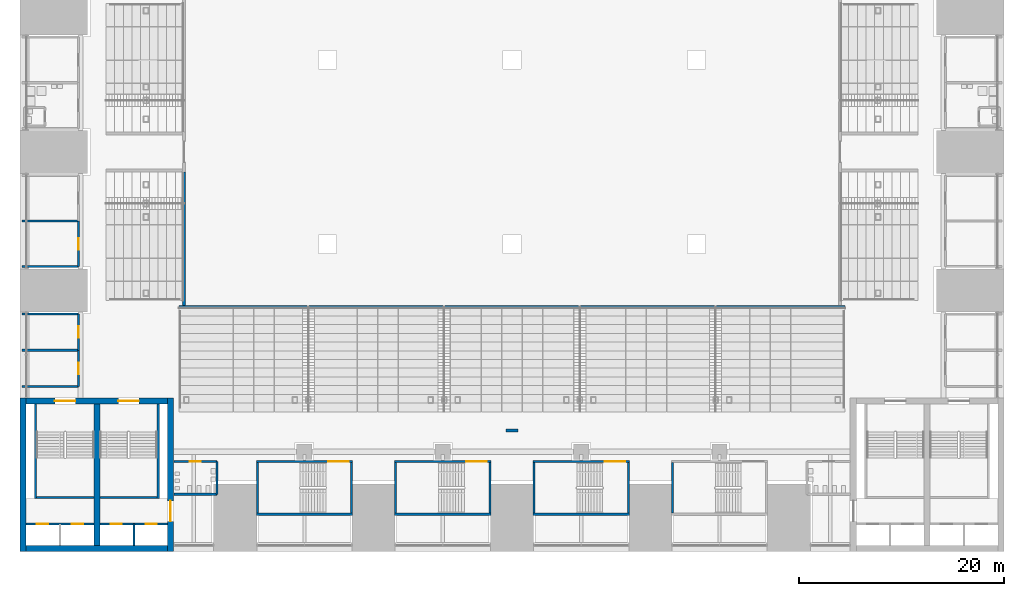
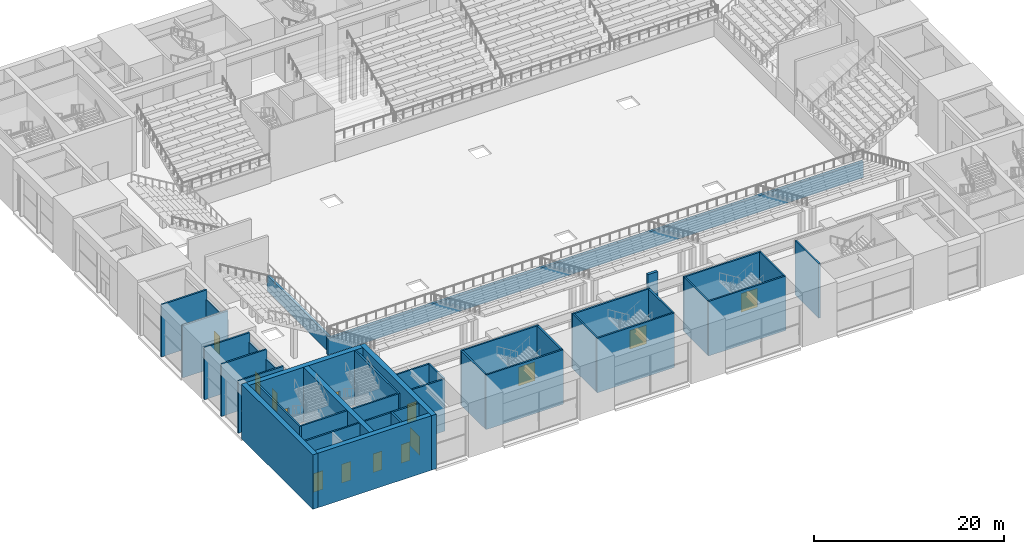
# One storey, part 35 of 62: 39 walls, 14 doors, 14 openings.
"""IFC4 building model written with IfcOpenShell, lengths in metres."""

from ifc_helpers import new_model, si_unit, direction, frame, frame_2d, origin, place, context, subcontext, project, spatial, rectangle, extrude, material, layer, layer_set, type_object, element, fill, save


model = new_model("IFC4")

# Units and contexts
model_context = context("Model", 3, precision=1e-05, world=origin(), true_north=direction((0.0, 1.0)))
body_context = subcontext(model_context, "Body", "Model", "MODEL_VIEW")
ifc_project = project(units=[si_unit("LENGTHUNIT", "METRE"), si_unit("AREAUNIT", "SQUARE_METRE"), si_unit("VOLUMEUNIT", "CUBIC_METRE"), si_unit("PLANEANGLEUNIT", "RADIAN"), si_unit("MASSUNIT", "GRAM", prefix="KILO")], contexts=[model_context])

# Site, building, storey
site_placement = place(None, origin())
site = spatial("IfcSite", under=ifc_project, at=site_placement, CompositionType="ELEMENT")
building_placement = place(site_placement, origin())
building = spatial("IfcBuilding", under=site, at=building_placement, Name="Corbelhall Arena Tower", CompositionType="ELEMENT")
storey_placement = place(building_placement, frame((0.0, 0.0, 12.0)))
storey = spatial("IfcBuildingStorey", under=building, at=storey_placement, Name="L01", CompositionType="ELEMENT", Elevation=12.0)

# Walls
ifc_material_1 = material(Name="Reinforced concrete C40/50", Category="concrete")
ifc_layer_1 = layer(ifc_material_1, 0.300048828125)
ifc_layer_set_1 = layer_set([ifc_layer_1], Name="AR-FRONT-WALL")
wall_type_1 = type_object("IfcWallType", Name="AR-FRONT-WALL", PredefinedType="SOLIDWALL", material=ifc_layer_set_1)
wall_1_placement = place(storey_placement, frame((32.5, -15.14990234375, 0.0), z_axis=(0.0, 0.0, 1.0), x_axis=(-1.0, 0.0, 0.0)))
element("IfcWall", 1, at=wall_1_placement, inside=storey, type_object=wall_type_1, Name="Tier front wall LS", PredefinedType="SOLIDWALL", context=body_context, shape_type="SweptSolid", body=[
    extrude(rectangle(XDim=65.0, YDim=0.300048828125, at=frame_2d((32.5, 0.0))), origin(), (0.0, 0.0, 1.0), 2.125),
])
wall_2_placement = place(storey_placement, frame((-32.0, -1.949951171875, 0.0), z_axis=(0.0, 0.0, 1.0), x_axis=(0.0, -1.0, 0.0)))
element("IfcWall", 2, at=wall_2_placement, inside=storey, type_object=wall_type_1, Name="Tier front wall LW", PredefinedType="SOLIDWALL", context=body_context, shape_type="SweptSolid", body=[
    extrude(rectangle(XDim=13.050048828125, YDim=0.300048828125, at=frame_2d((6.52490234375, 0.0))), origin(), (0.0, 0.0, 1.0), 2.0),
])
ifc_material_2 = material(Name="Gypsum board on steel studs", Category="steel")
ifc_layer_2 = layer(ifc_material_2, 0.199951171875)
ifc_layer_set_2 = layer_set([ifc_layer_2], Name="AR-ROOM-WALL")
wall_type_2 = type_object("IfcWallType", Name="AR-ROOM-WALL", PredefinedType="PARTITIONING", material=ifc_layer_set_2)
for number, where, z_axis, x_axis, name in (
    (3, (-42.300048828125, -11.199951171875, 0.0), (0.0, 0.0, 1.0), (-1.0, 0.0, 0.0), "Medical and first-aid room 2 end wall"),
    (4, (-47.800048828125, -6.75, 0.0), (0.0, 0.0, 1.0), (1.0, 0.0, 0.0), "Medical and first-aid room 2 partition"),
    (5, (-42.300048828125, -22.89990234375, 0.0), (0.0, 0.0, 1.0), (-1.0, 0.0, 0.0), "Media interview room 2 end wall"),
    (6, (-47.800048828125, -19.35009765625, 0.0), (0.0, 0.0, 1.0), (1.0, 0.0, 0.0), "Media interview room 2 partition"),
    (7, (-42.300048828125, -15.800048828125, 0.0), (0.0, 0.0, 1.0), (-1.0, 0.0, 0.0), "Catering preparation kitchen 2 end wall"),
):
    element("IfcWall", number, at=place(storey_placement, frame(where, z_axis=z_axis, x_axis=x_axis)), inside=storey, type_object=wall_type_2, Name=name, PredefinedType="PARTITIONING", context=body_context, shape_type="SweptSolid", body=[
        extrude(rectangle(XDim=5.5, YDim=0.199951171875, at=frame_2d((2.75, 0.0))), origin(), (0.0, 0.0, 1.0), 6.699951171875),
    ])

# Wall, opening, door
wall_3_placement = place(storey_placement, frame((-33.0, -30.199951171875, 0.0), z_axis=(0.0, 0.0, 1.0), x_axis=(1.0, 0.0, 0.0)))
wall_3 = element("IfcWall", 8, at=wall_3_placement, inside=storey, type_object=wall_type_2, Name="Men's WC 4 wall", PredefinedType="PARTITIONING", context=body_context, shape_type="SweptSolid", body=[
    extrude(rectangle(XDim=4.199951171875, YDim=0.199951171875, at=frame_2d((2.10009765625, 0.0))), origin(), (0.0, 0.0, 1.0), 6.699951171875),
])
opening_1_placement = place(wall_3_placement, frame((1.550048828125, 0.0, 0.0)))
opening_1 = element("IfcOpeningElement", 9, at=opening_1_placement, cuts=wall_3, Name="Opening DA0362", PredefinedType="OPENING", context=body_context, shape_type="SweptSolid", body=[
    extrude(rectangle(XDim=1.10009765625, YDim=2.39990234375, at=frame_2d((0.550048828125, 1.199951171875))), frame((0.0, 0.10009765625, 0.0), z_axis=(0.0, -1.0, 0.0), x_axis=(1.0, 0.0, 0.0)), (0.0, 0.0, 1.0), 0.199951171875),
])
ifc_material_3 = material(Name="Timber", Category="wood")
door_type_1 = type_object("IfcDoorType", Name="AR-ROOM-DOOR", OperationType="DOUBLE_DOOR_SINGLE_SWING", PredefinedType="DOOR", material=ifc_material_3)
door_1_placement = place(opening_1_placement, origin())
door_1 = element("IfcDoor", 10, at=door_1_placement, inside=storey, type_object=door_type_1, Name="Men's WC 4 door", OperationType="DOUBLE_DOOR_SINGLE_SWING", OverallHeight=2.39990234375, OverallWidth=1.10009765625, PredefinedType="DOOR", context=body_context, shape_type="SweptSolid", body=[
    extrude(rectangle(XDim=1.10009765625, YDim=2.39990234375, at=frame_2d((0.550048828125, 1.199951171875))), frame((0.0, 0.02490234375, 0.0), z_axis=(0.0, -1.0, 0.0), x_axis=(1.0, 0.0, 0.0)), (0.0, 0.0, 1.0), 0.050048828125),
])
fill(opening_1, door_1)

# Walls
wall_4_placement = place(storey_placement, frame((-28.800048828125, -33.39990234375, 0.0), z_axis=(0.0, 0.0, 1.0), x_axis=(0.0, 1.0, 0.0)))
element("IfcWall", 11, at=wall_4_placement, inside=storey, type_object=wall_type_2, Name="Men's WC 4 side wall", PredefinedType="PARTITIONING", context=body_context, shape_type="SweptSolid", body=[
    extrude(rectangle(XDim=3.199951171875, YDim=0.199951171875, at=frame_2d((1.60009765625, 0.0))), origin(), (0.0, 0.0, 1.0), 6.699951171875),
])
wall_5_placement = place(storey_placement, frame((-33.0, -33.39990234375, 0.0), z_axis=(0.0, 0.0, 1.0), x_axis=(1.0, 0.0, 0.0)))
element("IfcWall", 12, at=wall_5_placement, inside=storey, type_object=wall_type_2, Name="Men's WC 4 far wall", PredefinedType="PARTITIONING", context=body_context, shape_type="SweptSolid", body=[
    extrude(rectangle(XDim=4.199951171875, YDim=0.199951171875, at=frame_2d((2.10009765625, 0.0))), origin(), (0.0, 0.0, 1.0), 6.699951171875),
])

# Wall, opening, door
ifc_layer_3 = layer(ifc_material_2, 0.199951171875)
ifc_layer_set_3 = layer_set([ifc_layer_3], Name="AR-ROOM-WALL under beam 1200 mm")
wall_type_3 = type_object("IfcWallType", Name="AR-ROOM-WALL under beam 1200 mm", PredefinedType="PARTITIONING", material=ifc_layer_set_3)
wall_6_placement = place(storey_placement, frame((-42.300048828125, -11.199951171875, 0.0), z_axis=(0.0, 0.0, 1.0), x_axis=(0.0, 1.0, 0.0)))
wall_6 = element("IfcWall", 13, at=wall_6_placement, inside=storey, type_object=wall_type_3, Name="Medical and first-aid room 2 wall", PredefinedType="PARTITIONING", context=body_context, shape_type="SweptSolid", body=[
    extrude(rectangle(XDim=4.449951171875, YDim=0.199951171875, at=frame_2d((2.22509765625, 0.0))), origin(), (0.0, 0.0, 1.0), 5.5),
])
opening_2_placement = place(wall_6_placement, frame((1.675048828125, 0.0, 0.0)))
opening_2 = element("IfcOpeningElement", 14, at=opening_2_placement, cuts=wall_6, Name="Opening DA0353", PredefinedType="OPENING", context=body_context, shape_type="SweptSolid", body=[
    extrude(rectangle(XDim=1.10009765625, YDim=2.39990234375, at=frame_2d((0.550048828125, 1.199951171875))), frame((0.0, 0.10009765625, 0.0), z_axis=(0.0, -1.0, 0.0), x_axis=(1.0, 0.0, 0.0)), (0.0, 0.0, 1.0), 0.199951171875),
])
door_2_placement = place(opening_2_placement, origin())
door_2 = element("IfcDoor", 15, at=door_2_placement, inside=storey, type_object=door_type_1, Name="Medical and first-aid room 2 door", OperationType="DOUBLE_DOOR_SINGLE_SWING", OverallHeight=2.39990234375, OverallWidth=1.10009765625, PredefinedType="DOOR", context=body_context, shape_type="SweptSolid", body=[
    extrude(rectangle(XDim=1.10009765625, YDim=2.39990234375, at=frame_2d((0.550048828125, 1.199951171875))), frame((0.0, 0.02490234375, 0.0), z_axis=(0.0, -1.0, 0.0), x_axis=(1.0, 0.0, 0.0)), (0.0, 0.0, 1.0), 0.050048828125),
])
fill(opening_2, door_2)

wall_7_placement = place(storey_placement, frame((-42.300048828125, -22.89990234375, 0.0), z_axis=(0.0, 0.0, 1.0), x_axis=(0.0, 1.0, 0.0)))
wall_7 = element("IfcWall", 16, at=wall_7_placement, inside=storey, type_object=wall_type_3, Name="Media interview room 2 wall", PredefinedType="PARTITIONING", context=body_context, shape_type="SweptSolid", body=[
    extrude(rectangle(XDim=3.5498046875, YDim=0.199951171875, at=frame_2d((1.77490234375, 0.0))), origin(), (0.0, 0.0, 1.0), 5.5),
])
opening_3_placement = place(wall_7_placement, frame((1.22509765625, 0.0, 0.0)))
opening_3 = element("IfcOpeningElement", 17, at=opening_3_placement, cuts=wall_7, Name="Opening DA0357", PredefinedType="OPENING", context=body_context, shape_type="SweptSolid", body=[
    extrude(rectangle(XDim=1.10009765625, YDim=2.39990234375, at=frame_2d((0.550048828125, 1.199951171875))), frame((0.0, 0.10009765625, 0.0), z_axis=(0.0, -1.0, 0.0), x_axis=(1.0, 0.0, 0.0)), (0.0, 0.0, 1.0), 0.199951171875),
])
door_3_placement = place(opening_3_placement, origin())
door_3 = element("IfcDoor", 18, at=door_3_placement, inside=storey, type_object=door_type_1, Name="Media interview room 2 door", OperationType="DOUBLE_DOOR_SINGLE_SWING", OverallHeight=2.39990234375, OverallWidth=1.10009765625, PredefinedType="DOOR", context=body_context, shape_type="SweptSolid", body=[
    extrude(rectangle(XDim=1.10009765625, YDim=2.39990234375, at=frame_2d((0.550048828125, 1.199951171875))), frame((0.0, 0.02490234375, 0.0), z_axis=(0.0, -1.0, 0.0), x_axis=(1.0, 0.0, 0.0)), (0.0, 0.0, 1.0), 0.050048828125),
])
fill(opening_3, door_3)

wall_8_placement = place(storey_placement, frame((-42.300048828125, -19.35009765625, 0.0), z_axis=(0.0, 0.0, 1.0), x_axis=(0.0, 1.0, 0.0)))
wall_8 = element("IfcWall", 19, at=wall_8_placement, inside=storey, type_object=wall_type_3, Name="Catering preparation kitchen 2 wall", PredefinedType="PARTITIONING", context=body_context, shape_type="SweptSolid", body=[
    extrude(rectangle(XDim=3.550048828125, YDim=0.199951171875, at=frame_2d((1.77490234375, 0.0))), origin(), (0.0, 0.0, 1.0), 5.5),
])
opening_4_placement = place(wall_8_placement, frame((1.22509765625, 0.0, 0.0)))
opening_4 = element("IfcOpeningElement", 20, at=opening_4_placement, cuts=wall_8, Name="Opening DA0358", PredefinedType="OPENING", context=body_context, shape_type="SweptSolid", body=[
    extrude(rectangle(XDim=1.10009765625, YDim=2.39990234375, at=frame_2d((0.550048828125, 1.199951171875))), frame((0.0, 0.10009765625, 0.0), z_axis=(0.0, -1.0, 0.0), x_axis=(1.0, 0.0, 0.0)), (0.0, 0.0, 1.0), 0.199951171875),
])
door_4_placement = place(opening_4_placement, origin())
door_4 = element("IfcDoor", 21, at=door_4_placement, inside=storey, type_object=door_type_1, Name="Catering preparation kitchen 2 door", OperationType="DOUBLE_DOOR_SINGLE_SWING", OverallHeight=2.39990234375, OverallWidth=1.10009765625, PredefinedType="DOOR", context=body_context, shape_type="SweptSolid", body=[
    extrude(rectangle(XDim=1.10009765625, YDim=2.39990234375, at=frame_2d((0.550048828125, 1.199951171875))), frame((0.0, 0.02490234375, 0.0), z_axis=(0.0, -1.0, 0.0), x_axis=(1.0, 0.0, 0.0)), (0.0, 0.0, 1.0), 0.050048828125),
])
fill(opening_4, door_4)

# Wall, openings, doors
ifc_layer_4 = layer(ifc_material_1, 0.199951171875)
ifc_layer_set_4 = layer_set([ifc_layer_4], Name="AR-SHAFT-WALL")
wall_type_4 = type_object("IfcWallType", Name="AR-SHAFT-WALL", PredefinedType="SHEAR", material=ifc_layer_set_4)
wall_9_placement = place(storey_placement, frame((-47.39990234375, -36.300048828125, 0.0), z_axis=(0.0, 0.0, 1.0), x_axis=(1.0, 0.0, 0.0)))
wall_9 = element("IfcWall", 22, at=wall_9_placement, inside=storey, type_object=wall_type_4, Name="Lift lobby wall SW", PredefinedType="SHEAR", context=body_context, shape_type="SweptSolid", body=[
    extrude(rectangle(XDim=6.599853515625, YDim=0.199951171875, at=frame_2d((3.2998046875, 0.0))), origin(), (0.0, 0.0, 1.0), 7.0),
])
opening_5_placement = place(wall_9_placement, frame((1.050048828125, 0.0, 0.0)))
opening_5 = element("IfcOpeningElement", 23, at=opening_5_placement, cuts=wall_9, Name="Opening LD0254", PredefinedType="OPENING", context=body_context, shape_type="SweptSolid", body=[
    extrude(rectangle(XDim=1.10009765625, YDim=2.39990234375, at=frame_2d((0.550048828125, 1.199951171875))), frame((0.0, 0.10009765625, 0.0), z_axis=(0.0, -1.0, 0.0), x_axis=(1.0, 0.0, 0.0)), (0.0, 0.0, 1.0), 0.199951171875),
])
opening_6_placement = place(wall_9_placement, frame((4.449951171875, 0.0, 0.0)))
opening_6 = element("IfcOpeningElement", 24, at=opening_6_placement, cuts=wall_9, Name="Opening LD0255", PredefinedType="OPENING", context=body_context, shape_type="SweptSolid", body=[
    extrude(rectangle(XDim=1.10009765625, YDim=2.39990234375, at=frame_2d((0.550048828125, 1.199951171875))), frame((0.0, 0.10009765625, 0.0), z_axis=(0.0, -1.0, 0.0), x_axis=(1.0, 0.0, 0.0)), (0.0, 0.0, 1.0), 0.199951171875),
])
ifc_material_4 = material(Name="Stainless steel A4", Category="steel")
door_type_2 = type_object("IfcDoorType", Name="AR-LANDING-DOOR", OperationType="DOUBLE_DOOR_SLIDING", PredefinedType="DOOR", material=ifc_material_4)
door_5_placement = place(opening_5_placement, frame((1.10009765625, 0.0, 0.0), z_axis=(0.0, 0.0, 1.0), x_axis=(-1.0, 0.0, 0.0)))
door_5 = element("IfcDoor", 25, at=door_5_placement, inside=storey, type_object=door_type_2, Name="Landing door SW LF3 L01", OperationType="DOUBLE_DOOR_SLIDING", OverallHeight=2.39990234375, OverallWidth=1.10009765625, PredefinedType="DOOR", context=body_context, shape_type="SweptSolid", body=[
    extrude(rectangle(XDim=1.10009765625, YDim=2.39990234375, at=frame_2d((0.550048828125, 1.199951171875))), frame((0.0, 0.02490234375, 0.0), z_axis=(0.0, -1.0, 0.0), x_axis=(1.0, 0.0, 0.0)), (0.0, 0.0, 1.0), 0.050048828125),
])
fill(opening_5, door_5)
door_6_placement = place(opening_6_placement, frame((1.10009765625, 0.0, 0.0), z_axis=(0.0, 0.0, 1.0), x_axis=(-1.0, 0.0, 0.0)))
door_6 = element("IfcDoor", 26, at=door_6_placement, inside=storey, type_object=door_type_2, Name="Landing door SW LF4 L01", OperationType="DOUBLE_DOOR_SLIDING", OverallHeight=2.39990234375, OverallWidth=1.10009765625, PredefinedType="DOOR", context=body_context, shape_type="SweptSolid", body=[
    extrude(rectangle(XDim=1.10009765625, YDim=2.39990234375, at=frame_2d((0.550048828125, 1.199951171875))), frame((0.0, 0.02490234375, 0.0), z_axis=(0.0, -1.0, 0.0), x_axis=(1.0, 0.0, 0.0)), (0.0, 0.0, 1.0), 0.050048828125),
])
fill(opening_6, door_6)

wall_10_placement = place(storey_placement, frame((-40.199951171875, -36.300048828125, 0.0), z_axis=(0.0, 0.0, 1.0), x_axis=(1.0, 0.0, 0.0)))
wall_10 = element("IfcWall", 27, at=wall_10_placement, inside=storey, type_object=wall_type_4, Name="Lift lobby wall SW", PredefinedType="SHEAR", context=body_context, shape_type="SweptSolid", body=[
    extrude(rectangle(XDim=6.599853515625, YDim=0.199951171875, at=frame_2d((3.2998046875, 0.0))), origin(), (0.0, 0.0, 1.0), 7.0),
])
opening_7_placement = place(wall_10_placement, frame((1.050048828125, 0.0, 0.0)))
opening_7 = element("IfcOpeningElement", 28, at=opening_7_placement, cuts=wall_10, Name="Opening LD0256", PredefinedType="OPENING", context=body_context, shape_type="SweptSolid", body=[
    extrude(rectangle(XDim=1.10009765625, YDim=2.39990234375, at=frame_2d((0.550048828125, 1.199951171875))), frame((0.0, 0.10009765625, 0.0), z_axis=(0.0, -1.0, 0.0), x_axis=(1.0, 0.0, 0.0)), (0.0, 0.0, 1.0), 0.199951171875),
])
opening_8_placement = place(wall_10_placement, frame((4.449951171875, 0.0, 0.0)))
opening_8 = element("IfcOpeningElement", 29, at=opening_8_placement, cuts=wall_10, Name="Opening LD0257", PredefinedType="OPENING", context=body_context, shape_type="SweptSolid", body=[
    extrude(rectangle(XDim=1.10009765625, YDim=2.39990234375, at=frame_2d((0.550048828125, 1.199951171875))), frame((0.0, 0.10009765625, 0.0), z_axis=(0.0, -1.0, 0.0), x_axis=(1.0, 0.0, 0.0)), (0.0, 0.0, 1.0), 0.199951171875),
])
door_7_placement = place(opening_7_placement, frame((1.10009765625, 0.0, 0.0), z_axis=(0.0, 0.0, 1.0), x_axis=(-1.0, 0.0, 0.0)))
door_7 = element("IfcDoor", 30, at=door_7_placement, inside=storey, type_object=door_type_2, Name="Landing door SW LF1 L01", OperationType="DOUBLE_DOOR_SLIDING", OverallHeight=2.39990234375, OverallWidth=1.10009765625, PredefinedType="DOOR", context=body_context, shape_type="SweptSolid", body=[
    extrude(rectangle(XDim=1.10009765625, YDim=2.39990234375, at=frame_2d((0.550048828125, 1.199951171875))), frame((0.0, 0.02490234375, 0.0), z_axis=(0.0, -1.0, 0.0), x_axis=(1.0, 0.0, 0.0)), (0.0, 0.0, 1.0), 0.050048828125),
])
fill(opening_7, door_7)
door_8_placement = place(opening_8_placement, frame((1.10009765625, 0.0, 0.0), z_axis=(0.0, 0.0, 1.0), x_axis=(-1.0, 0.0, 0.0)))
door_8 = element("IfcDoor", 31, at=door_8_placement, inside=storey, type_object=door_type_2, Name="Landing door SW LF2 L01", OperationType="DOUBLE_DOOR_SLIDING", OverallHeight=2.39990234375, OverallWidth=1.10009765625, PredefinedType="DOOR", context=body_context, shape_type="SweptSolid", body=[
    extrude(rectangle(XDim=1.10009765625, YDim=2.39990234375, at=frame_2d((0.550048828125, 1.199951171875))), frame((0.0, 0.02490234375, 0.0), z_axis=(0.0, -1.0, 0.0), x_axis=(1.0, 0.0, 0.0)), (0.0, 0.0, 1.0), 0.050048828125),
])
fill(opening_8, door_8)

# Wall
wall_11_placement = place(storey_placement, frame((-36.89990234375, -38.39990234375, 0.0), z_axis=(0.0, 0.0, 1.0), x_axis=(0.0, 1.0, 0.0)))
element("IfcWall", 32, at=wall_11_placement, inside=storey, type_object=wall_type_4, Name="Shaft wall SW", PredefinedType="SHEAR", context=body_context, shape_type="SweptSolid", body=[
    extrude(rectangle(XDim=2.099853515625, YDim=0.199951171875, at=frame_2d((1.0498046875, 0.0))), origin(), (0.0, 0.0, 1.0), 7.0),
])

# Wall, opening, door
ifc_layer_5 = layer(ifc_material_1, 0.199951171875)
ifc_layer_set_5 = layer_set([ifc_layer_5], Name="AR-STAIR-WALL")
wall_type_5 = type_object("IfcWallType", Name="AR-STAIR-WALL", PredefinedType="SOLIDWALL", material=ifc_layer_set_5)
wall_12_placement = place(storey_placement, frame((-15.550048828125, -30.199951171875, 0.0), z_axis=(0.0, 0.0, 1.0), x_axis=(-1.0, 0.0, 0.0)))
wall_12 = element("IfcWall", 33, at=wall_12_placement, inside=storey, type_object=wall_type_5, Name="Stair AS13 wall", PredefinedType="SOLIDWALL", context=body_context, shape_type="SweptSolid", body=[
    extrude(rectangle(XDim=9.39990234375, YDim=0.199951171875, at=frame_2d((4.699951171875, 0.0))), origin(), (0.0, 0.0, 1.0), 7.0),
])
opening_9_placement = place(wall_12_placement, frame((0.39990234375, 0.0, 0.0)))
opening_9 = element("IfcOpeningElement", 34, at=opening_9_placement, cuts=wall_12, Name="Opening DA0026", PredefinedType="OPENING", context=body_context, shape_type="SweptSolid", body=[
    extrude(rectangle(XDim=2.0, YDim=2.39990234375, at=frame_2d((1.0, 1.199951171875))), frame((0.0, 0.10009765625, 0.0), z_axis=(0.0, -1.0, 0.0), x_axis=(1.0, 0.0, 0.0)), (0.0, 0.0, 1.0), 0.199951171875),
])
ifc_material_5 = material(Name="Steel and glass", Category="steel")
door_type_3 = type_object("IfcDoorType", Name="AR-STAIR-DOOR", OperationType="DOUBLE_DOOR_SINGLE_SWING", PredefinedType="DOOR", material=ifc_material_5)
door_9_placement = place(opening_9_placement, origin())
door_9 = element("IfcDoor", 35, at=door_9_placement, inside=storey, type_object=door_type_3, Name="Stair AS13 door", OperationType="DOUBLE_DOOR_SINGLE_SWING", OverallHeight=2.39990234375, OverallWidth=2.0, PredefinedType="DOOR", context=body_context, shape_type="SweptSolid", body=[
    extrude(rectangle(XDim=2.0, YDim=2.39990234375, at=frame_2d((1.0, 1.199951171875))), frame((0.0, 0.02490234375, 0.0), z_axis=(0.0, -1.0, 0.0), x_axis=(1.0, 0.0, 0.0)), (0.0, 0.0, 1.0), 0.050048828125),
])
fill(opening_9, door_9)

# Walls
wall_13_placement = place(storey_placement, frame((-24.949951171875, -35.35009765625, 0.0), z_axis=(0.0, 0.0, 1.0), x_axis=(1.0, 0.0, 0.0)))
element("IfcWall", 36, at=wall_13_placement, inside=storey, type_object=wall_type_5, Name="Stair AS13 wall", PredefinedType="SOLIDWALL", context=body_context, shape_type="SweptSolid", body=[
    extrude(rectangle(XDim=9.39990234375, YDim=0.199951171875, at=frame_2d((4.699951171875, 0.0))), origin(), (0.0, 0.0, 1.0), 7.0),
])
for number, where, z_axis, x_axis, name in (
    (37, (-24.85009765625, -35.25, 0.0), (0.0, 0.0, 1.0), (0.0, 1.0, 0.0), "Stair AS13 wall"),
    (38, (-15.64990234375, -35.25, 0.0), (0.0, 0.0, 1.0), (0.0, 1.0, 0.0), "Stair AS13 wall"),
):
    element("IfcWall", number, at=place(storey_placement, frame(where, z_axis=z_axis, x_axis=x_axis)), inside=storey, type_object=wall_type_5, Name=name, PredefinedType="SOLIDWALL", context=body_context, shape_type="SweptSolid", body=[
        extrude(rectangle(XDim=4.949951171875, YDim=0.199951171875, at=frame_2d((2.47509765625, 0.0))), origin(), (0.0, 0.0, 1.0), 7.0),
    ])

# Wall, opening, door
wall_14_placement = place(storey_placement, frame((-2.050048828125, -30.199951171875, 0.0), z_axis=(0.0, 0.0, 1.0), x_axis=(-1.0, 0.0, 0.0)))
wall_14 = element("IfcWall", 39, at=wall_14_placement, inside=storey, type_object=wall_type_5, Name="Stair AS14 wall", PredefinedType="SOLIDWALL", context=body_context, shape_type="SweptSolid", body=[
    extrude(rectangle(XDim=9.39990234375, YDim=0.199951171875, at=frame_2d((4.699951171875, 0.0))), origin(), (0.0, 0.0, 1.0), 7.0),
])
opening_10_placement = place(wall_14_placement, frame((0.39990234375, 0.0, 0.0)))
opening_10 = element("IfcOpeningElement", 40, at=opening_10_placement, cuts=wall_14, Name="Opening DA0032", PredefinedType="OPENING", context=body_context, shape_type="SweptSolid", body=[
    extrude(rectangle(XDim=2.0, YDim=2.39990234375, at=frame_2d((1.0, 1.199951171875))), frame((0.0, 0.10009765625, 0.0), z_axis=(0.0, -1.0, 0.0), x_axis=(1.0, 0.0, 0.0)), (0.0, 0.0, 1.0), 0.199951171875),
])
door_10_placement = place(opening_10_placement, origin())
door_10 = element("IfcDoor", 41, at=door_10_placement, inside=storey, type_object=door_type_3, Name="Stair AS14 door", OperationType="DOUBLE_DOOR_SINGLE_SWING", OverallHeight=2.39990234375, OverallWidth=2.0, PredefinedType="DOOR", context=body_context, shape_type="SweptSolid", body=[
    extrude(rectangle(XDim=2.0, YDim=2.39990234375, at=frame_2d((1.0, 1.199951171875))), frame((0.0, 0.02490234375, 0.0), z_axis=(0.0, -1.0, 0.0), x_axis=(1.0, 0.0, 0.0)), (0.0, 0.0, 1.0), 0.050048828125),
])
fill(opening_10, door_10)

# Walls
wall_15_placement = place(storey_placement, frame((-11.449951171875, -35.35009765625, 0.0), z_axis=(0.0, 0.0, 1.0), x_axis=(1.0, 0.0, 0.0)))
element("IfcWall", 42, at=wall_15_placement, inside=storey, type_object=wall_type_5, Name="Stair AS14 wall", PredefinedType="SOLIDWALL", context=body_context, shape_type="SweptSolid", body=[
    extrude(rectangle(XDim=9.39990234375, YDim=0.199951171875, at=frame_2d((4.699951171875, 0.0))), origin(), (0.0, 0.0, 1.0), 7.0),
])
for number, where, z_axis, x_axis, name in (
    (43, (-11.35009765625, -35.25, 0.0), (0.0, 0.0, 1.0), (0.0, 1.0, 0.0), "Stair AS14 wall"),
    (44, (-2.14990234375, -35.25, 0.0), (0.0, 0.0, 1.0), (0.0, 1.0, 0.0), "Stair AS14 wall"),
):
    element("IfcWall", number, at=place(storey_placement, frame(where, z_axis=z_axis, x_axis=x_axis)), inside=storey, type_object=wall_type_5, Name=name, PredefinedType="SOLIDWALL", context=body_context, shape_type="SweptSolid", body=[
        extrude(rectangle(XDim=4.949951171875, YDim=0.199951171875, at=frame_2d((2.47509765625, 0.0))), origin(), (0.0, 0.0, 1.0), 7.0),
    ])

# Wall, opening, door
wall_16_placement = place(storey_placement, frame((11.449951171875, -30.199951171875, 0.0), z_axis=(0.0, 0.0, 1.0), x_axis=(-1.0, 0.0, 0.0)))
wall_16 = element("IfcWall", 45, at=wall_16_placement, inside=storey, type_object=wall_type_5, Name="Stair AS15 wall", PredefinedType="SOLIDWALL", context=body_context, shape_type="SweptSolid", body=[
    extrude(rectangle(XDim=9.39990234375, YDim=0.199951171875, at=frame_2d((4.699951171875, 0.0))), origin(), (0.0, 0.0, 1.0), 7.0),
])
opening_11_placement = place(wall_16_placement, frame((0.39990234375, 0.0, 0.0)))
opening_11 = element("IfcOpeningElement", 46, at=opening_11_placement, cuts=wall_16, Name="Opening DA0038", PredefinedType="OPENING", context=body_context, shape_type="SweptSolid", body=[
    extrude(rectangle(XDim=2.0, YDim=2.39990234375, at=frame_2d((1.0, 1.199951171875))), frame((0.0, 0.10009765625, 0.0), z_axis=(0.0, -1.0, 0.0), x_axis=(1.0, 0.0, 0.0)), (0.0, 0.0, 1.0), 0.199951171875),
])
door_11_placement = place(opening_11_placement, origin())
door_11 = element("IfcDoor", 47, at=door_11_placement, inside=storey, type_object=door_type_3, Name="Stair AS15 door", OperationType="DOUBLE_DOOR_SINGLE_SWING", OverallHeight=2.39990234375, OverallWidth=2.0, PredefinedType="DOOR", context=body_context, shape_type="SweptSolid", body=[
    extrude(rectangle(XDim=2.0, YDim=2.39990234375, at=frame_2d((1.0, 1.199951171875))), frame((0.0, 0.02490234375, 0.0), z_axis=(0.0, -1.0, 0.0), x_axis=(1.0, 0.0, 0.0)), (0.0, 0.0, 1.0), 0.050048828125),
])
fill(opening_11, door_11)

# Walls
wall_17_placement = place(storey_placement, frame((2.050048828125, -35.35009765625, 0.0), z_axis=(0.0, 0.0, 1.0), x_axis=(1.0, 0.0, 0.0)))
element("IfcWall", 48, at=wall_17_placement, inside=storey, type_object=wall_type_5, Name="Stair AS15 wall", PredefinedType="SOLIDWALL", context=body_context, shape_type="SweptSolid", body=[
    extrude(rectangle(XDim=9.39990234375, YDim=0.199951171875, at=frame_2d((4.699951171875, 0.0))), origin(), (0.0, 0.0, 1.0), 7.0),
])
for number, where, z_axis, x_axis, name in (
    (49, (2.14990234375, -35.25, 0.0), (0.0, 0.0, 1.0), (0.0, 1.0, 0.0), "Stair AS15 wall"),
    (50, (11.35009765625, -35.25, 0.0), (0.0, 0.0, 1.0), (0.0, 1.0, 0.0), "Stair AS15 wall"),
    (51, (15.64990234375, -35.25, 0.0), (0.0, 0.0, 1.0), (0.0, 1.0, 0.0), "Stair AS16 wall"),
):
    element("IfcWall", number, at=place(storey_placement, frame(where, z_axis=z_axis, x_axis=x_axis)), inside=storey, type_object=wall_type_5, Name=name, PredefinedType="SOLIDWALL", context=body_context, shape_type="SweptSolid", body=[
        extrude(rectangle(XDim=4.949951171875, YDim=0.199951171875, at=frame_2d((2.47509765625, 0.0))), origin(), (0.0, 0.0, 1.0), 7.0),
    ])
wall_18_placement = place(storey_placement, frame((-34.510009765625, -33.800048828125, 0.0), z_axis=(0.0, 0.0, 1.0), x_axis=(0.0, 1.0, 0.0)))
element("IfcWall", 52, at=wall_18_placement, inside=storey, type_object=wall_type_5, Name="Stair AS7 wall", PredefinedType="SOLIDWALL", context=body_context, shape_type="SweptSolid", body=[
    extrude(rectangle(XDim=9.199951171875, YDim=0.199951171875, at=frame_2d((4.60009765625, 0.0))), origin(), (0.0, 0.0, 1.0), 7.0),
])
wall_19_placement = place(storey_placement, frame((-40.199951171875, -33.699951171875, 0.0), z_axis=(0.0, 0.0, 1.0), x_axis=(1.0, 0.0, 0.0)))
element("IfcWall", 53, at=wall_19_placement, inside=storey, type_object=wall_type_5, Name="Stair AS7 wall", PredefinedType="SOLIDWALL", context=body_context, shape_type="SweptSolid", body=[
    extrude(rectangle(XDim=5.58984375, YDim=0.199951171875, at=frame_2d((2.794921875, 0.0))), origin(), (0.0, 0.0, 1.0), 7.0),
])
wall_20_placement = place(storey_placement, frame((-46.489990234375, -33.800048828125, 0.0), z_axis=(0.0, 0.0, 1.0), x_axis=(0.0, 1.0, 0.0)))
element("IfcWall", 54, at=wall_20_placement, inside=storey, type_object=wall_type_5, Name="Stair AS8 wall", PredefinedType="SOLIDWALL", context=body_context, shape_type="SweptSolid", body=[
    extrude(rectangle(XDim=9.199951171875, YDim=0.199951171875, at=frame_2d((4.60009765625, 0.0))), origin(), (0.0, 0.0, 1.0), 7.0),
])
wall_21_placement = place(storey_placement, frame((-46.389892578125, -33.699951171875, 0.0), z_axis=(0.0, 0.0, 1.0), x_axis=(1.0, 0.0, 0.0)))
element("IfcWall", 55, at=wall_21_placement, inside=storey, type_object=wall_type_5, Name="Stair AS8 wall", PredefinedType="SOLIDWALL", context=body_context, shape_type="SweptSolid", body=[
    extrude(rectangle(XDim=5.58984375, YDim=0.199951171875, at=frame_2d((2.794921875, 0.0))), origin(), (0.0, 0.0, 1.0), 7.0),
])
ifc_material_6 = material(Name="Concrete C80/95", Category="concrete")
ifc_layer_6 = layer(ifc_material_6, 0.300048828125)
ifc_layer_set_6 = layer_set([ifc_layer_6], Name="PO-BAND-WALL")
wall_type_6 = type_object("IfcWallType", Name="PO-BAND-WALL", PredefinedType="SHEAR", material=ifc_layer_set_6)
wall_22_placement = place(storey_placement, frame((-0.60009765625, -27.175048828125, 0.0), z_axis=(0.0, 0.0, 1.0), x_axis=(1.0, 0.0, 0.0)))
element("IfcWall", 56, at=wall_22_placement, inside=storey, type_object=wall_type_6, Name="BAND WALL L02 1", PredefinedType="SHEAR", context=body_context, shape_type="SweptSolid", body=[
    extrude(rectangle(XDim=1.2001953125, YDim=0.300048828125, at=frame_2d((0.60009765625, 0.0))), origin(), (0.0, 0.0, 1.0), 6.449951171875),
])

# Wall, openings, doors
ifc_layer_7 = layer(ifc_material_6, 0.60009765625)
ifc_layer_set_7 = layer_set([ifc_layer_7], Name="PO-CORE-WALL")
wall_type_7 = type_object("IfcWallType", Name="PO-CORE-WALL", PredefinedType="SHEAR", material=ifc_layer_set_7)
wall_23_placement = place(storey_placement, frame((-47.39990234375, -24.300048828125, 0.0), z_axis=(0.0, 0.0, 1.0), x_axis=(1.0, 0.0, 0.0)))
wall_23 = element("IfcWall", 57, at=wall_23_placement, inside=storey, type_object=wall_type_7, Name="CORE SW WALL N L01", PredefinedType="SHEAR", context=body_context, shape_type="SweptSolid", body=[
    extrude(rectangle(XDim=13.7998046875, YDim=0.60009765625, at=frame_2d((6.89990234375, 0.0))), origin(), (0.0, 0.0, 1.0), 7.0),
])
opening_12_placement = place(wall_23_placement, frame((8.9951171875, 0.0, 0.0)))
opening_12 = element("IfcOpeningElement", 58, at=opening_12_placement, cuts=wall_23, Name="Opening DA0102", PredefinedType="OPENING", context=body_context, shape_type="SweptSolid", body=[
    extrude(rectangle(XDim=2.0, YDim=2.39990234375, at=frame_2d((1.0, 1.199951171875))), frame((0.0, 0.300048828125, 0.0), z_axis=(0.0, -1.0, 0.0), x_axis=(1.0, 0.0, 0.0)), (0.0, 0.0, 1.0), 0.60009765625),
])
opening_13_placement = place(wall_23_placement, frame((2.804931640625, 0.0, 0.0)))
opening_13 = element("IfcOpeningElement", 59, at=opening_13_placement, cuts=wall_23, Name="Opening DA0110", PredefinedType="OPENING", context=body_context, shape_type="SweptSolid", body=[
    extrude(rectangle(XDim=2.0, YDim=2.39990234375, at=frame_2d((1.0, 1.199951171875))), frame((0.0, 0.300048828125, 0.0), z_axis=(0.0, -1.0, 0.0), x_axis=(1.0, 0.0, 0.0)), (0.0, 0.0, 1.0), 0.60009765625),
])
door_12_placement = place(opening_12_placement, frame((2.0, 0.0, 0.0), z_axis=(0.0, 0.0, 1.0), x_axis=(-1.0, 0.0, 0.0)))
door_12 = element("IfcDoor", 60, at=door_12_placement, inside=storey, type_object=door_type_3, Name="Stair AS7 door", OperationType="DOUBLE_DOOR_SINGLE_SWING", OverallHeight=2.39990234375, OverallWidth=2.0, PredefinedType="DOOR", context=body_context, shape_type="SweptSolid", body=[
    extrude(rectangle(XDim=2.0, YDim=2.39990234375, at=frame_2d((1.0, 1.199951171875))), frame((0.0, 0.02490234375, 0.0), z_axis=(0.0, -1.0, 0.0), x_axis=(1.0, 0.0, 0.0)), (0.0, 0.0, 1.0), 0.050048828125),
])
fill(opening_12, door_12)
door_13_placement = place(opening_13_placement, frame((2.0, 0.0, 0.0), z_axis=(0.0, 0.0, 1.0), x_axis=(-1.0, 0.0, 0.0)))
door_13 = element("IfcDoor", 61, at=door_13_placement, inside=storey, type_object=door_type_3, Name="Stair AS8 door", OperationType="DOUBLE_DOOR_SINGLE_SWING", OverallHeight=2.39990234375, OverallWidth=2.0, PredefinedType="DOOR", context=body_context, shape_type="SweptSolid", body=[
    extrude(rectangle(XDim=2.0, YDim=2.39990234375, at=frame_2d((1.0, 1.199951171875))), frame((0.0, 0.02490234375, 0.0), z_axis=(0.0, -1.0, 0.0), x_axis=(1.0, 0.0, 0.0)), (0.0, 0.0, 1.0), 0.050048828125),
])
fill(opening_13, door_13)

# Walls
wall_24_placement = place(storey_placement, frame((-47.39990234375, -38.699951171875, 0.0), z_axis=(0.0, 0.0, 1.0), x_axis=(1.0, 0.0, 0.0)))
element("IfcWall", 62, at=wall_24_placement, inside=storey, type_object=wall_type_7, Name="CORE SW WALL S L01", PredefinedType="SHEAR", context=body_context, shape_type="SweptSolid", body=[
    extrude(rectangle(XDim=13.7998046875, YDim=0.60009765625, at=frame_2d((6.89990234375, 0.0))), origin(), (0.0, 0.0, 1.0), 7.0),
])
wall_25_placement = place(storey_placement, frame((-47.699951171875, -39.0, 0.0), z_axis=(0.0, 0.0, 1.0), x_axis=(0.0, 1.0, 0.0)))
element("IfcWall", 63, at=wall_25_placement, inside=storey, type_object=wall_type_7, Name="CORE SW WALL W L01", PredefinedType="SHEAR", context=body_context, shape_type="SweptSolid", body=[
    extrude(rectangle(XDim=15.0, YDim=0.60009765625, at=frame_2d((7.5, 0.0))), origin(), (0.0, 0.0, 1.0), 7.0),
])

# Wall, opening, door
wall_26_placement = place(storey_placement, frame((-33.300048828125, -39.0, 0.0), z_axis=(0.0, 0.0, 1.0), x_axis=(0.0, 1.0, 0.0)))
wall_26 = element("IfcWall", 64, at=wall_26_placement, inside=storey, type_object=wall_type_7, Name="CORE SW WALL E L01", PredefinedType="SHEAR", context=body_context, shape_type="SweptSolid", body=[
    extrude(rectangle(XDim=15.0, YDim=0.60009765625, at=frame_2d((7.5, 0.0))), origin(), (0.0, 0.0, 1.0), 7.0),
])
opening_14_placement = place(wall_26_placement, frame((2.949951171875, 0.0, 0.0)))
opening_14 = element("IfcOpeningElement", 65, at=opening_14_placement, cuts=wall_26, Name="Opening DA0258", PredefinedType="OPENING", context=body_context, shape_type="SweptSolid", body=[
    extrude(rectangle(XDim=2.0, YDim=2.39990234375, at=frame_2d((1.0, 1.199951171875))), frame((0.0, 0.300048828125, 0.0), z_axis=(0.0, -1.0, 0.0), x_axis=(1.0, 0.0, 0.0)), (0.0, 0.0, 1.0), 0.60009765625),
])
door_type_4 = type_object("IfcDoorType", Name="AR-CORE-DOOR", OperationType="DOUBLE_DOOR_SINGLE_SWING", PredefinedType="DOOR", material=ifc_material_5)
door_14_placement = place(opening_14_placement, origin())
door_14 = element("IfcDoor", 66, at=door_14_placement, inside=storey, type_object=door_type_4, Name="Core lobby door SW L01", OperationType="DOUBLE_DOOR_SINGLE_SWING", OverallHeight=2.39990234375, OverallWidth=2.0, PredefinedType="DOOR", context=body_context, shape_type="SweptSolid", body=[
    extrude(rectangle(XDim=2.0, YDim=2.39990234375, at=frame_2d((1.0, 1.199951171875))), frame((0.0, 0.02490234375, 0.0), z_axis=(0.0, -1.0, 0.0), x_axis=(1.0, 0.0, 0.0)), (0.0, 0.0, 1.0), 0.050048828125),
])
fill(opening_14, door_14)

# Wall
wall_27_placement = place(storey_placement, frame((-40.5, -38.39990234375, 0.0), z_axis=(0.0, 0.0, 1.0), x_axis=(0.0, 1.0, 0.0)))
element("IfcWall", 67, at=wall_27_placement, inside=storey, type_object=wall_type_7, Name="CORE SW WALL D L01", PredefinedType="SHEAR", context=body_context, shape_type="SweptSolid", body=[
    extrude(rectangle(XDim=13.7998046875, YDim=0.60009765625, at=frame_2d((6.89990234375, 0.0))), origin(), (0.0, 0.0, 1.0), 7.0),
])

save(model, "model.ifc")
